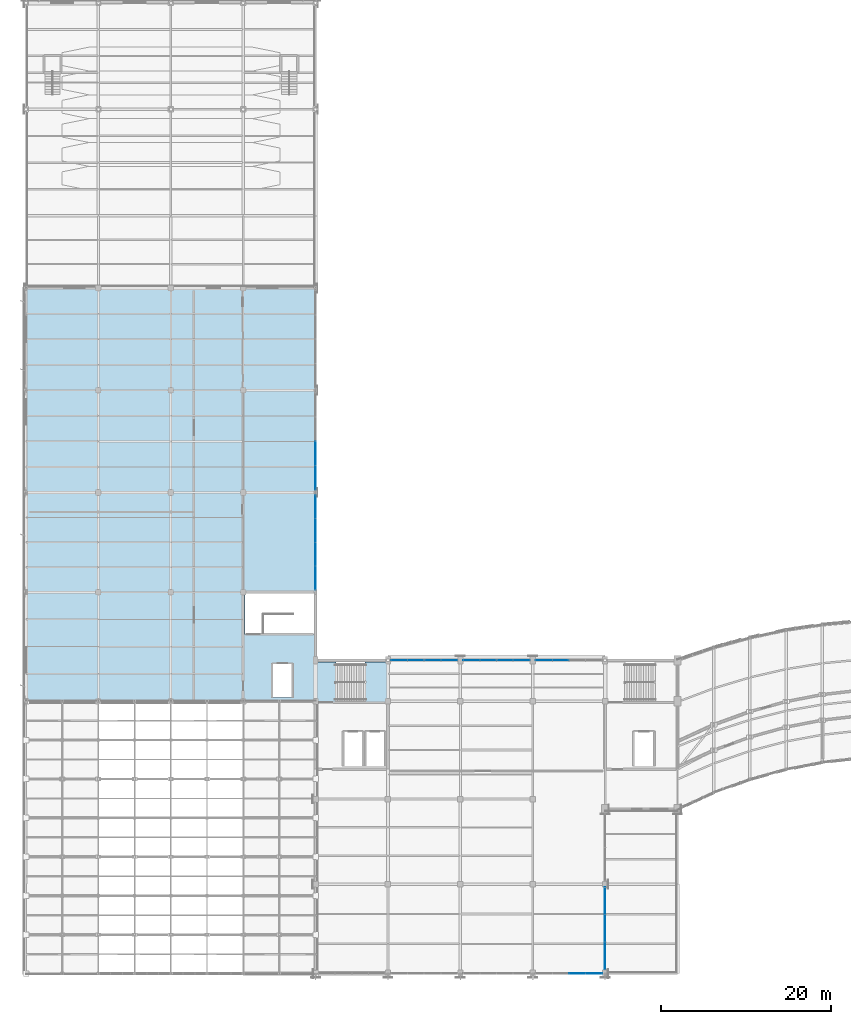
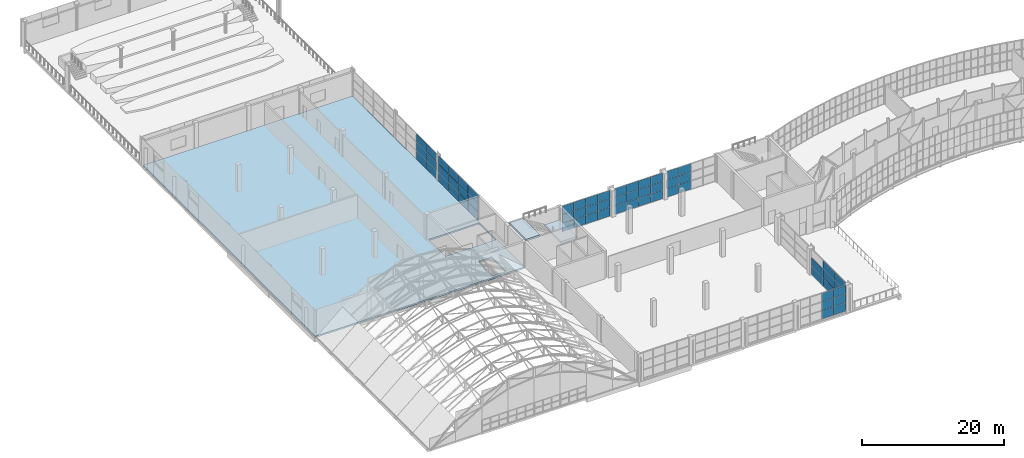
# One storey, part 56 of 86: 62 plates, 3 slabs, 8 elements without a shape of their own.
"""IFC4 building model written with IfcOpenShell, lengths in metres."""

from ifc_helpers import new_model, si_unit, direction, frame, origin, origin_2d, place, context, subcontext, project, spatial, polyline, rectangle, outline, extrude, material, layer, layer_set, type_object, element, aggregate, save


model = new_model("IFC4")

# Units and contexts
model_context = context("Model", 3, precision=1e-05, world=origin(), true_north=direction((0.0, 1.0)))
body_context = subcontext(model_context, "Body", "Model", "MODEL_VIEW")
ifc_project = project(units=[si_unit("LENGTHUNIT", "METRE"), si_unit("AREAUNIT", "SQUARE_METRE"), si_unit("VOLUMEUNIT", "CUBIC_METRE"), si_unit("PLANEANGLEUNIT", "RADIAN"), si_unit("MASSUNIT", "GRAM", prefix="KILO")], contexts=[model_context])

# Site, building, storey
site_placement = place(None, origin())
site = spatial("IfcSite", under=ifc_project, at=site_placement, CompositionType="ELEMENT")
building_placement = place(site_placement, origin())
building = spatial("IfcBuilding", under=site, at=building_placement, Name="Solvikara Media Centre", CompositionType="ELEMENT")
storey_placement = place(building_placement, frame((0.0, 0.0, 15.0)))
storey = spatial("IfcBuildingStorey", under=building, at=storey_placement, Name="L03", CompositionType="ELEMENT", Elevation=15.0)

# Curtain wall, plates
ifc_material_1 = material(Name="Anodised aluminium EN AW-6063", Category="aluminium")
curtain_wall_type_1 = type_object("IfcCurtainWallType", Name="CW-04", PredefinedType="NOTDEFINED", material=ifc_material_1)
curtain_wall_1_placement = place(storey_placement, origin())
curtain_wall_1 = element("IfcCurtainWall", 1, at=curtain_wall_1_placement, inside=storey, type_object=curtain_wall_type_1, Name="CW-L03-V6S-4", PredefinedType="NOTDEFINED")
ifc_material_2 = material(Name="Ceramic-fritted teal low-E glass", Category="glass")
ifc_layer_1 = layer(ifc_material_2, 0.0380859375)
ifc_layer_set_1 = layer_set([ifc_layer_1], Name="Ceramic-fritted teal low-E glass")
plate_type_1 = type_object("IfcPlateType", Name="PN-08", PredefinedType="CURTAIN_PANEL", material=ifc_layer_set_1)
plate_1_placement = place(storey_placement, frame((64.72705078125, 0.0, 0.034423828125), z_axis=(0.0, 0.0, 1.0), x_axis=(1.0, 0.0, 0.0)))
plate_1 = element("IfcPlate", 2, at=plate_1_placement, type_object=plate_type_1, Name="CW-L03-V6S-4-P0200", PredefinedType="CURTAIN_PANEL", context=body_context, shape_type="SweptSolid", body=[
    extrude(rectangle(XDim=1.925048828125, YDim=0.0380859375, at=origin_2d()), origin(), (0.0, 0.0, 1.0), 1.45703125),
])
plate_2_placement = place(storey_placement, frame((64.72705078125, 0.0, 3.008544921875), z_axis=(0.0, 0.0, 1.0), x_axis=(1.0, 0.0, 0.0)))
plate_2 = element("IfcPlate", 3, at=plate_2_placement, type_object=plate_type_1, Name="CW-L03-V6S-4-P0202", PredefinedType="CURTAIN_PANEL", context=body_context, shape_type="SweptSolid", body=[
    extrude(rectangle(XDim=1.925048828125, YDim=0.0380859375, at=origin_2d()), origin(), (0.0, 0.0, 1.0), 1.45703125),
])
plate_3_placement = place(storey_placement, frame((66.681884765625, 0.0, 1.521484375), z_axis=(0.0, 0.0, 1.0), x_axis=(1.0, 0.0, 0.0)))
plate_3 = element("IfcPlate", 4, at=plate_3_placement, type_object=plate_type_1, Name="CW-L03-V6S-4-P0301", PredefinedType="CURTAIN_PANEL", context=body_context, shape_type="SweptSolid", body=[
    extrude(rectangle(XDim=1.925048828125, YDim=0.0380859375, at=origin_2d()), origin(), (0.0, 0.0, 1.0), 1.45703125),
])

curtain_wall_type_2 = type_object("IfcCurtainWallType", Name="CW-16", PredefinedType="NOTDEFINED", material=ifc_material_1)
curtain_wall_2_placement = place(storey_placement, origin())
curtain_wall_2 = element("IfcCurtainWall", 5, at=curtain_wall_2_placement, inside=storey, type_object=curtain_wall_type_2, Name="CW-L03-V6E-S1", PredefinedType="NOTDEFINED")
plate_4_placement = place(storey_placement, frame((68.0, 2.096923828125, 0.034423828125), z_axis=(0.0, 0.0, 1.0), x_axis=(0.0, 1.0, 0.0)))
plate_4 = element("IfcPlate", 6, at=plate_4_placement, type_object=plate_type_1, Name="CW-L03-V6E-S1-P0000", PredefinedType="CURTAIN_PANEL", context=body_context, shape_type="SweptSolid", body=[
    extrude(rectangle(XDim=3.18505859375, YDim=0.0380859375, at=origin_2d()), origin(), (0.0, 0.0, 1.0), 1.45703125),
])
plate_5_placement = place(storey_placement, frame((68.0, 2.096923828125, 3.008544921875), z_axis=(0.0, 0.0, 1.0), x_axis=(0.0, 1.0, 0.0)))
plate_5 = element("IfcPlate", 7, at=plate_5_placement, type_object=plate_type_1, Name="CW-L03-V6E-S1-P0002", PredefinedType="CURTAIN_PANEL", context=body_context, shape_type="SweptSolid", body=[
    extrude(rectangle(XDim=3.18505859375, YDim=0.0380859375, at=origin_2d()), origin(), (0.0, 0.0, 1.0), 1.45703125),
])
plate_6_placement = place(storey_placement, frame((68.0, 5.31201171875, 1.521484375), z_axis=(0.0, 0.0, 1.0), x_axis=(0.0, 1.0, 0.0)))
plate_6 = element("IfcPlate", 8, at=plate_6_placement, type_object=plate_type_1, Name="CW-L03-V6E-S1-P0101", PredefinedType="CURTAIN_PANEL", context=body_context, shape_type="SweptSolid", body=[
    extrude(rectangle(XDim=3.18505859375, YDim=0.0380859375, at=origin_2d()), origin(), (0.0, 0.0, 1.0), 1.45703125),
])
plate_7_placement = place(storey_placement, frame((68.0, 8.527099609375, 0.034423828125), z_axis=(0.0, 0.0, 1.0), x_axis=(0.0, 1.0, 0.0)))
plate_7 = element("IfcPlate", 9, at=plate_7_placement, type_object=plate_type_1, Name="CW-L03-V6E-S1-P0200", PredefinedType="CURTAIN_PANEL", context=body_context, shape_type="SweptSolid", body=[
    extrude(rectangle(XDim=3.18505859375, YDim=0.0380859375, at=origin_2d()), origin(), (0.0, 0.0, 1.0), 1.45703125),
])

curtain_wall_type_3 = type_object("IfcCurtainWallType", Name="CW-05", PredefinedType="NOTDEFINED", material=ifc_material_1)
curtain_wall_3_placement = place(storey_placement, origin())
curtain_wall_3 = element("IfcCurtainWall", 10, at=curtain_wall_3_placement, inside=storey, type_object=curtain_wall_type_3, Name="CW-L03-V6N-1", PredefinedType="NOTDEFINED")
plate_8_placement = place(storey_placement, frame((43.81689453125, 36.800048828125, 0.034423828125), z_axis=(0.0, 0.0, 1.0), x_axis=(1.0, 0.0, 0.0)))
plate_8 = element("IfcPlate", 11, at=plate_8_placement, type_object=plate_type_1, Name="CW-L03-V6N-1-P0000", PredefinedType="CURTAIN_PANEL", context=body_context, shape_type="SweptSolid", body=[
    extrude(rectangle(XDim=1.925048828125, YDim=0.0380859375, at=origin_2d()), origin(), (0.0, 0.0, 1.0), 1.45703125),
])
plate_9_placement = place(storey_placement, frame((43.81689453125, 36.800048828125, 3.008544921875), z_axis=(0.0, 0.0, 1.0), x_axis=(1.0, 0.0, 0.0)))
plate_9 = element("IfcPlate", 12, at=plate_9_placement, type_object=plate_type_1, Name="CW-L03-V6N-1-P0002", PredefinedType="CURTAIN_PANEL", context=body_context, shape_type="SweptSolid", body=[
    extrude(rectangle(XDim=1.925048828125, YDim=0.0380859375, at=origin_2d()), origin(), (0.0, 0.0, 1.0), 1.45703125),
])
plate_10_placement = place(storey_placement, frame((45.77197265625, 36.800048828125, 1.521484375), z_axis=(0.0, 0.0, 1.0), x_axis=(1.0, 0.0, 0.0)))
plate_10 = element("IfcPlate", 13, at=plate_10_placement, type_object=plate_type_1, Name="CW-L03-V6N-1-P0101", PredefinedType="CURTAIN_PANEL", context=body_context, shape_type="SweptSolid", body=[
    extrude(rectangle(XDim=1.925048828125, YDim=0.0380859375, at=origin_2d()), origin(), (0.0, 0.0, 1.0), 1.45703125),
])
plate_11_placement = place(storey_placement, frame((47.72705078125, 36.800048828125, 0.034423828125), z_axis=(0.0, 0.0, 1.0), x_axis=(1.0, 0.0, 0.0)))
plate_11 = element("IfcPlate", 14, at=plate_11_placement, type_object=plate_type_1, Name="CW-L03-V6N-1-P0200", PredefinedType="CURTAIN_PANEL", context=body_context, shape_type="SweptSolid", body=[
    extrude(rectangle(XDim=1.925048828125, YDim=0.0380859375, at=origin_2d()), origin(), (0.0, 0.0, 1.0), 1.45703125),
])
plate_12_placement = place(storey_placement, frame((47.72705078125, 36.800048828125, 3.008544921875), z_axis=(0.0, 0.0, 1.0), x_axis=(1.0, 0.0, 0.0)))
plate_12 = element("IfcPlate", 15, at=plate_12_placement, type_object=plate_type_1, Name="CW-L03-V6N-1-P0202", PredefinedType="CURTAIN_PANEL", context=body_context, shape_type="SweptSolid", body=[
    extrude(rectangle(XDim=1.925048828125, YDim=0.0380859375, at=origin_2d()), origin(), (0.0, 0.0, 1.0), 1.45703125),
])
plate_13_placement = place(storey_placement, frame((49.681884765625, 36.800048828125, 1.521484375), z_axis=(0.0, 0.0, 1.0), x_axis=(1.0, 0.0, 0.0)))
plate_13 = element("IfcPlate", 16, at=plate_13_placement, type_object=plate_type_1, Name="CW-L03-V6N-1-P0301", PredefinedType="CURTAIN_PANEL", context=body_context, shape_type="SweptSolid", body=[
    extrude(rectangle(XDim=1.925048828125, YDim=0.0380859375, at=origin_2d()), origin(), (0.0, 0.0, 1.0), 1.45703125),
])

curtain_wall_4_placement = place(storey_placement, origin())
curtain_wall_4 = element("IfcCurtainWall", 17, at=curtain_wall_4_placement, inside=storey, type_object=curtain_wall_type_3, Name="CW-L03-V6N-2", PredefinedType="NOTDEFINED")
plate_14_placement = place(storey_placement, frame((52.31689453125, 36.800048828125, 0.034423828125), z_axis=(0.0, 0.0, 1.0), x_axis=(1.0, 0.0, 0.0)))
plate_14 = element("IfcPlate", 18, at=plate_14_placement, type_object=plate_type_1, Name="CW-L03-V6N-2-P0000", PredefinedType="CURTAIN_PANEL", context=body_context, shape_type="SweptSolid", body=[
    extrude(rectangle(XDim=1.925048828125, YDim=0.0380859375, at=origin_2d()), origin(), (0.0, 0.0, 1.0), 1.45703125),
])
plate_15_placement = place(storey_placement, frame((52.31689453125, 36.800048828125, 3.008544921875), z_axis=(0.0, 0.0, 1.0), x_axis=(1.0, 0.0, 0.0)))
plate_15 = element("IfcPlate", 19, at=plate_15_placement, type_object=plate_type_1, Name="CW-L03-V6N-2-P0002", PredefinedType="CURTAIN_PANEL", context=body_context, shape_type="SweptSolid", body=[
    extrude(rectangle(XDim=1.925048828125, YDim=0.0380859375, at=origin_2d()), origin(), (0.0, 0.0, 1.0), 1.45703125),
])
plate_16_placement = place(storey_placement, frame((54.27197265625, 36.800048828125, 1.521484375), z_axis=(0.0, 0.0, 1.0), x_axis=(1.0, 0.0, 0.0)))
plate_16 = element("IfcPlate", 20, at=plate_16_placement, type_object=plate_type_1, Name="CW-L03-V6N-2-P0101", PredefinedType="CURTAIN_PANEL", context=body_context, shape_type="SweptSolid", body=[
    extrude(rectangle(XDim=1.925048828125, YDim=0.0380859375, at=origin_2d()), origin(), (0.0, 0.0, 1.0), 1.45703125),
])
plate_17_placement = place(storey_placement, frame((56.22705078125, 36.800048828125, 0.034423828125), z_axis=(0.0, 0.0, 1.0), x_axis=(1.0, 0.0, 0.0)))
plate_17 = element("IfcPlate", 21, at=plate_17_placement, type_object=plate_type_1, Name="CW-L03-V6N-2-P0200", PredefinedType="CURTAIN_PANEL", context=body_context, shape_type="SweptSolid", body=[
    extrude(rectangle(XDim=1.925048828125, YDim=0.0380859375, at=origin_2d()), origin(), (0.0, 0.0, 1.0), 1.45703125),
])
plate_18_placement = place(storey_placement, frame((56.22705078125, 36.800048828125, 3.008544921875), z_axis=(0.0, 0.0, 1.0), x_axis=(1.0, 0.0, 0.0)))
plate_18 = element("IfcPlate", 22, at=plate_18_placement, type_object=plate_type_1, Name="CW-L03-V6N-2-P0202", PredefinedType="CURTAIN_PANEL", context=body_context, shape_type="SweptSolid", body=[
    extrude(rectangle(XDim=1.925048828125, YDim=0.0380859375, at=origin_2d()), origin(), (0.0, 0.0, 1.0), 1.45703125),
])
plate_19_placement = place(storey_placement, frame((58.181884765625, 36.800048828125, 1.521484375), z_axis=(0.0, 0.0, 1.0), x_axis=(1.0, 0.0, 0.0)))
plate_19 = element("IfcPlate", 23, at=plate_19_placement, type_object=plate_type_1, Name="CW-L03-V6N-2-P0301", PredefinedType="CURTAIN_PANEL", context=body_context, shape_type="SweptSolid", body=[
    extrude(rectangle(XDim=1.925048828125, YDim=0.0380859375, at=origin_2d()), origin(), (0.0, 0.0, 1.0), 1.45703125),
])

curtain_wall_5_placement = place(storey_placement, origin())
curtain_wall_5 = element("IfcCurtainWall", 24, at=curtain_wall_5_placement, inside=storey, type_object=curtain_wall_type_3, Name="CW-L03-V6N-3", PredefinedType="NOTDEFINED")
plate_20_placement = place(storey_placement, frame((60.81689453125, 36.800048828125, 0.034423828125), z_axis=(0.0, 0.0, 1.0), x_axis=(1.0, 0.0, 0.0)))
plate_20 = element("IfcPlate", 25, at=plate_20_placement, type_object=plate_type_1, Name="CW-L03-V6N-3-P0000", PredefinedType="CURTAIN_PANEL", context=body_context, shape_type="SweptSolid", body=[
    extrude(rectangle(XDim=1.925048828125, YDim=0.0380859375, at=origin_2d()), origin(), (0.0, 0.0, 1.0), 1.45703125),
])
plate_21_placement = place(storey_placement, frame((60.81689453125, 36.800048828125, 3.008544921875), z_axis=(0.0, 0.0, 1.0), x_axis=(1.0, 0.0, 0.0)))
plate_21 = element("IfcPlate", 26, at=plate_21_placement, type_object=plate_type_1, Name="CW-L03-V6N-3-P0002", PredefinedType="CURTAIN_PANEL", context=body_context, shape_type="SweptSolid", body=[
    extrude(rectangle(XDim=1.925048828125, YDim=0.0380859375, at=origin_2d()), origin(), (0.0, 0.0, 1.0), 1.45703125),
])
plate_22_placement = place(storey_placement, frame((62.77197265625, 36.800048828125, 1.521484375), z_axis=(0.0, 0.0, 1.0), x_axis=(1.0, 0.0, 0.0)))
plate_22 = element("IfcPlate", 27, at=plate_22_placement, type_object=plate_type_1, Name="CW-L03-V6N-3-P0101", PredefinedType="CURTAIN_PANEL", context=body_context, shape_type="SweptSolid", body=[
    extrude(rectangle(XDim=1.925048828125, YDim=0.0380859375, at=origin_2d()), origin(), (0.0, 0.0, 1.0), 1.45703125),
])

# Plate
ifc_material_3 = material(Name="Insulated silver-pearl glass spandrel panel", Category="glass")
ifc_layer_2 = layer(ifc_material_3, 0.054931640625)
ifc_layer_set_2 = layer_set([ifc_layer_2], Name="Insulated silver-pearl glass spandrel panel")
plate_type_2 = type_object("IfcPlateType", Name="PN-09", PredefinedType="CURTAIN_PANEL", material=ifc_layer_set_2)
plate_23_placement = place(storey_placement, frame((64.72705078125, 0.0, 1.521484375), z_axis=(0.0, 0.0, 1.0), x_axis=(1.0, 0.0, 0.0)))
plate_23 = element("IfcPlate", 28, at=plate_23_placement, type_object=plate_type_2, Name="CW-L03-V6S-4-P0201", PredefinedType="CURTAIN_PANEL", context=body_context, shape_type="SweptSolid", body=[
    extrude(rectangle(XDim=1.925048828125, YDim=0.054931640625, at=origin_2d()), origin(), (0.0, 0.0, 1.0), 1.45703125),
])

plate_24_placement = place(storey_placement, frame((66.681884765625, 0.0, 0.034423828125), z_axis=(0.0, 0.0, 1.0), x_axis=(1.0, 0.0, 0.0)))
plate_24 = element("IfcPlate", 29, at=plate_24_placement, type_object=plate_type_2, Name="CW-L03-V6S-4-P0300", PredefinedType="CURTAIN_PANEL", context=body_context, shape_type="SweptSolid", body=[
    extrude(rectangle(XDim=1.925048828125, YDim=0.054931640625, at=origin_2d()), origin(), (0.0, 0.0, 1.0), 1.45703125),
])

plate_25_placement = place(storey_placement, frame((66.681884765625, 0.0, 3.008544921875), z_axis=(0.0, 0.0, 1.0), x_axis=(1.0, 0.0, 0.0)))
plate_25 = element("IfcPlate", 30, at=plate_25_placement, type_object=plate_type_2, Name="CW-L03-V6S-4-P0302", PredefinedType="CURTAIN_PANEL", context=body_context, shape_type="SweptSolid", body=[
    extrude(rectangle(XDim=1.925048828125, YDim=0.054931640625, at=origin_2d()), origin(), (0.0, 0.0, 1.0), 1.45703125),
])

aggregate(curtain_wall_1, [plate_1, plate_23, plate_2, plate_24, plate_3, plate_25])

plate_26_placement = place(storey_placement, frame((68.0, 2.096923828125, 1.521484375), z_axis=(0.0, 0.0, 1.0), x_axis=(0.0, 1.0, 0.0)))
plate_26 = element("IfcPlate", 31, at=plate_26_placement, type_object=plate_type_2, Name="CW-L03-V6E-S1-P0001", PredefinedType="CURTAIN_PANEL", context=body_context, shape_type="SweptSolid", body=[
    extrude(rectangle(XDim=3.18505859375, YDim=0.054931640625, at=origin_2d()), origin(), (0.0, 0.0, 1.0), 1.45703125),
])

plate_27_placement = place(storey_placement, frame((68.0, 5.31201171875, 0.034423828125), z_axis=(0.0, 0.0, 1.0), x_axis=(0.0, 1.0, 0.0)))
plate_27 = element("IfcPlate", 32, at=plate_27_placement, type_object=plate_type_2, Name="CW-L03-V6E-S1-P0100", PredefinedType="CURTAIN_PANEL", context=body_context, shape_type="SweptSolid", body=[
    extrude(rectangle(XDim=3.18505859375, YDim=0.054931640625, at=origin_2d()), origin(), (0.0, 0.0, 1.0), 1.45703125),
])

plate_28_placement = place(storey_placement, frame((68.0, 5.31201171875, 3.008544921875), z_axis=(0.0, 0.0, 1.0), x_axis=(0.0, 1.0, 0.0)))
plate_28 = element("IfcPlate", 33, at=plate_28_placement, type_object=plate_type_2, Name="CW-L03-V6E-S1-P0102", PredefinedType="CURTAIN_PANEL", context=body_context, shape_type="SweptSolid", body=[
    extrude(rectangle(XDim=3.18505859375, YDim=0.054931640625, at=origin_2d()), origin(), (0.0, 0.0, 1.0), 1.45703125),
])

plate_29_placement = place(storey_placement, frame((68.0, 8.527099609375, 1.521484375), z_axis=(0.0, 0.0, 1.0), x_axis=(0.0, 1.0, 0.0)))
plate_29 = element("IfcPlate", 34, at=plate_29_placement, type_object=plate_type_2, Name="CW-L03-V6E-S1-P0201", PredefinedType="CURTAIN_PANEL", context=body_context, shape_type="SweptSolid", body=[
    extrude(rectangle(XDim=3.18505859375, YDim=0.054931640625, at=origin_2d()), origin(), (0.0, 0.0, 1.0), 1.45703125),
])

aggregate(curtain_wall_2, [plate_4, plate_26, plate_5, plate_27, plate_6, plate_28, plate_7, plate_29])

plate_30_placement = place(storey_placement, frame((43.81689453125, 36.800048828125, 1.521484375), z_axis=(0.0, 0.0, 1.0), x_axis=(1.0, 0.0, 0.0)))
plate_30 = element("IfcPlate", 35, at=plate_30_placement, type_object=plate_type_2, Name="CW-L03-V6N-1-P0001", PredefinedType="CURTAIN_PANEL", context=body_context, shape_type="SweptSolid", body=[
    extrude(rectangle(XDim=1.925048828125, YDim=0.054931640625, at=origin_2d()), origin(), (0.0, 0.0, 1.0), 1.45703125),
])

plate_31_placement = place(storey_placement, frame((45.77197265625, 36.800048828125, 0.034423828125), z_axis=(0.0, 0.0, 1.0), x_axis=(1.0, 0.0, 0.0)))
plate_31 = element("IfcPlate", 36, at=plate_31_placement, type_object=plate_type_2, Name="CW-L03-V6N-1-P0100", PredefinedType="CURTAIN_PANEL", context=body_context, shape_type="SweptSolid", body=[
    extrude(rectangle(XDim=1.925048828125, YDim=0.054931640625, at=origin_2d()), origin(), (0.0, 0.0, 1.0), 1.45703125),
])

plate_32_placement = place(storey_placement, frame((45.77197265625, 36.800048828125, 3.008544921875), z_axis=(0.0, 0.0, 1.0), x_axis=(1.0, 0.0, 0.0)))
plate_32 = element("IfcPlate", 37, at=plate_32_placement, type_object=plate_type_2, Name="CW-L03-V6N-1-P0102", PredefinedType="CURTAIN_PANEL", context=body_context, shape_type="SweptSolid", body=[
    extrude(rectangle(XDim=1.925048828125, YDim=0.054931640625, at=origin_2d()), origin(), (0.0, 0.0, 1.0), 1.45703125),
])

plate_33_placement = place(storey_placement, frame((47.72705078125, 36.800048828125, 1.521484375), z_axis=(0.0, 0.0, 1.0), x_axis=(1.0, 0.0, 0.0)))
plate_33 = element("IfcPlate", 38, at=plate_33_placement, type_object=plate_type_2, Name="CW-L03-V6N-1-P0201", PredefinedType="CURTAIN_PANEL", context=body_context, shape_type="SweptSolid", body=[
    extrude(rectangle(XDim=1.925048828125, YDim=0.054931640625, at=origin_2d()), origin(), (0.0, 0.0, 1.0), 1.45703125),
])

plate_34_placement = place(storey_placement, frame((49.681884765625, 36.800048828125, 0.034423828125), z_axis=(0.0, 0.0, 1.0), x_axis=(1.0, 0.0, 0.0)))
plate_34 = element("IfcPlate", 39, at=plate_34_placement, type_object=plate_type_2, Name="CW-L03-V6N-1-P0300", PredefinedType="CURTAIN_PANEL", context=body_context, shape_type="SweptSolid", body=[
    extrude(rectangle(XDim=1.925048828125, YDim=0.054931640625, at=origin_2d()), origin(), (0.0, 0.0, 1.0), 1.45703125),
])

plate_35_placement = place(storey_placement, frame((49.681884765625, 36.800048828125, 3.008544921875), z_axis=(0.0, 0.0, 1.0), x_axis=(1.0, 0.0, 0.0)))
plate_35 = element("IfcPlate", 40, at=plate_35_placement, type_object=plate_type_2, Name="CW-L03-V6N-1-P0302", PredefinedType="CURTAIN_PANEL", context=body_context, shape_type="SweptSolid", body=[
    extrude(rectangle(XDim=1.925048828125, YDim=0.054931640625, at=origin_2d()), origin(), (0.0, 0.0, 1.0), 1.45703125),
])

aggregate(curtain_wall_3, [plate_8, plate_30, plate_9, plate_31, plate_10, plate_32, plate_11, plate_33, plate_12, plate_34, plate_13, plate_35])

plate_36_placement = place(storey_placement, frame((52.31689453125, 36.800048828125, 1.521484375), z_axis=(0.0, 0.0, 1.0), x_axis=(1.0, 0.0, 0.0)))
plate_36 = element("IfcPlate", 41, at=plate_36_placement, type_object=plate_type_2, Name="CW-L03-V6N-2-P0001", PredefinedType="CURTAIN_PANEL", context=body_context, shape_type="SweptSolid", body=[
    extrude(rectangle(XDim=1.925048828125, YDim=0.054931640625, at=origin_2d()), origin(), (0.0, 0.0, 1.0), 1.45703125),
])

plate_37_placement = place(storey_placement, frame((54.27197265625, 36.800048828125, 0.034423828125), z_axis=(0.0, 0.0, 1.0), x_axis=(1.0, 0.0, 0.0)))
plate_37 = element("IfcPlate", 42, at=plate_37_placement, type_object=plate_type_2, Name="CW-L03-V6N-2-P0100", PredefinedType="CURTAIN_PANEL", context=body_context, shape_type="SweptSolid", body=[
    extrude(rectangle(XDim=1.925048828125, YDim=0.054931640625, at=origin_2d()), origin(), (0.0, 0.0, 1.0), 1.45703125),
])

plate_38_placement = place(storey_placement, frame((54.27197265625, 36.800048828125, 3.008544921875), z_axis=(0.0, 0.0, 1.0), x_axis=(1.0, 0.0, 0.0)))
plate_38 = element("IfcPlate", 43, at=plate_38_placement, type_object=plate_type_2, Name="CW-L03-V6N-2-P0102", PredefinedType="CURTAIN_PANEL", context=body_context, shape_type="SweptSolid", body=[
    extrude(rectangle(XDim=1.925048828125, YDim=0.054931640625, at=origin_2d()), origin(), (0.0, 0.0, 1.0), 1.45703125),
])

plate_39_placement = place(storey_placement, frame((56.22705078125, 36.800048828125, 1.521484375), z_axis=(0.0, 0.0, 1.0), x_axis=(1.0, 0.0, 0.0)))
plate_39 = element("IfcPlate", 44, at=plate_39_placement, type_object=plate_type_2, Name="CW-L03-V6N-2-P0201", PredefinedType="CURTAIN_PANEL", context=body_context, shape_type="SweptSolid", body=[
    extrude(rectangle(XDim=1.925048828125, YDim=0.054931640625, at=origin_2d()), origin(), (0.0, 0.0, 1.0), 1.45703125),
])

plate_40_placement = place(storey_placement, frame((58.181884765625, 36.800048828125, 0.034423828125), z_axis=(0.0, 0.0, 1.0), x_axis=(1.0, 0.0, 0.0)))
plate_40 = element("IfcPlate", 45, at=plate_40_placement, type_object=plate_type_2, Name="CW-L03-V6N-2-P0300", PredefinedType="CURTAIN_PANEL", context=body_context, shape_type="SweptSolid", body=[
    extrude(rectangle(XDim=1.925048828125, YDim=0.054931640625, at=origin_2d()), origin(), (0.0, 0.0, 1.0), 1.45703125),
])

plate_41_placement = place(storey_placement, frame((58.181884765625, 36.800048828125, 3.008544921875), z_axis=(0.0, 0.0, 1.0), x_axis=(1.0, 0.0, 0.0)))
plate_41 = element("IfcPlate", 46, at=plate_41_placement, type_object=plate_type_2, Name="CW-L03-V6N-2-P0302", PredefinedType="CURTAIN_PANEL", context=body_context, shape_type="SweptSolid", body=[
    extrude(rectangle(XDim=1.925048828125, YDim=0.054931640625, at=origin_2d()), origin(), (0.0, 0.0, 1.0), 1.45703125),
])

aggregate(curtain_wall_4, [plate_14, plate_36, plate_15, plate_37, plate_16, plate_38, plate_17, plate_39, plate_18, plate_40, plate_19, plate_41])

plate_42_placement = place(storey_placement, frame((60.81689453125, 36.800048828125, 1.521484375), z_axis=(0.0, 0.0, 1.0), x_axis=(1.0, 0.0, 0.0)))
plate_42 = element("IfcPlate", 47, at=plate_42_placement, type_object=plate_type_2, Name="CW-L03-V6N-3-P0001", PredefinedType="CURTAIN_PANEL", context=body_context, shape_type="SweptSolid", body=[
    extrude(rectangle(XDim=1.925048828125, YDim=0.054931640625, at=origin_2d()), origin(), (0.0, 0.0, 1.0), 1.45703125),
])

plate_43_placement = place(storey_placement, frame((62.77197265625, 36.800048828125, 0.034423828125), z_axis=(0.0, 0.0, 1.0), x_axis=(1.0, 0.0, 0.0)))
plate_43 = element("IfcPlate", 48, at=plate_43_placement, type_object=plate_type_2, Name="CW-L03-V6N-3-P0100", PredefinedType="CURTAIN_PANEL", context=body_context, shape_type="SweptSolid", body=[
    extrude(rectangle(XDim=1.925048828125, YDim=0.054931640625, at=origin_2d()), origin(), (0.0, 0.0, 1.0), 1.45703125),
])

plate_44_placement = place(storey_placement, frame((62.77197265625, 36.800048828125, 3.008544921875), z_axis=(0.0, 0.0, 1.0), x_axis=(1.0, 0.0, 0.0)))
plate_44 = element("IfcPlate", 49, at=plate_44_placement, type_object=plate_type_2, Name="CW-L03-V6N-3-P0102", PredefinedType="CURTAIN_PANEL", context=body_context, shape_type="SweptSolid", body=[
    extrude(rectangle(XDim=1.925048828125, YDim=0.054931640625, at=origin_2d()), origin(), (0.0, 0.0, 1.0), 1.45703125),
])

aggregate(curtain_wall_5, [plate_20, plate_42, plate_21, plate_43, plate_22, plate_44])

# Curtain wall, plates
curtain_wall_type_4 = type_object("IfcCurtainWallType", Name="CW-07", PredefinedType="NOTDEFINED", material=ifc_material_1)
curtain_wall_6_placement = place(storey_placement, origin())
curtain_wall_6 = element("IfcCurtainWall", 50, at=curtain_wall_6_placement, inside=storey, type_object=curtain_wall_type_4, Name="CW-L03-V4E-S1", PredefinedType="NOTDEFINED")
ifc_material_4 = material(Name="Double-glazed low-E architectural glass", Category="glass")
ifc_layer_3 = layer(ifc_material_4, 0.035888671875)
ifc_layer_set_3 = layer_set([ifc_layer_3], Name="Double-glazed low-E architectural glass")
plate_type_3 = type_object("IfcPlateType", Name="PN-10", PredefinedType="CURTAIN_PANEL", material=ifc_layer_set_3)
plate_45_placement = place(storey_placement, frame((34.0, 46.47998046875, 0.034423828125), z_axis=(0.0, 0.0, 1.0), x_axis=(0.0, 1.0, 0.0)))
plate_45 = element("IfcPlate", 51, at=plate_45_placement, type_object=plate_type_3, Name="CW-L03-V4E-S1-P0000", PredefinedType="CURTAIN_PANEL", context=body_context, shape_type="SweptSolid", body=[
    extrude(rectangle(XDim=2.75, YDim=0.035888671875, at=origin_2d()), origin(), (0.0, 0.0, 1.0), 1.45703125),
])
plate_46_placement = place(storey_placement, frame((34.0, 46.47998046875, 3.008544921875), z_axis=(0.0, 0.0, 1.0), x_axis=(0.0, 1.0, 0.0)))
plate_46 = element("IfcPlate", 52, at=plate_46_placement, type_object=plate_type_3, Name="CW-L03-V4E-S1-P0002", PredefinedType="CURTAIN_PANEL", context=body_context, shape_type="SweptSolid", body=[
    extrude(rectangle(XDim=2.75, YDim=0.035888671875, at=origin_2d()), origin(), (0.0, 0.0, 1.0), 1.45703125),
])
plate_47_placement = place(storey_placement, frame((34.0, 49.260009765625, 1.521484375), z_axis=(0.0, 0.0, 1.0), x_axis=(0.0, 1.0, 0.0)))
plate_47 = element("IfcPlate", 53, at=plate_47_placement, type_object=plate_type_3, Name="CW-L03-V4E-S1-P0101", PredefinedType="CURTAIN_PANEL", context=body_context, shape_type="SweptSolid", body=[
    extrude(rectangle(XDim=2.75, YDim=0.035888671875, at=origin_2d()), origin(), (0.0, 0.0, 1.0), 1.45703125),
])
plate_48_placement = place(storey_placement, frame((34.0, 52.0400390625, 0.034423828125), z_axis=(0.0, 0.0, 1.0), x_axis=(0.0, 1.0, 0.0)))
plate_48 = element("IfcPlate", 54, at=plate_48_placement, type_object=plate_type_3, Name="CW-L03-V4E-S1-P0200", PredefinedType="CURTAIN_PANEL", context=body_context, shape_type="SweptSolid", body=[
    extrude(rectangle(XDim=2.75, YDim=0.035888671875, at=origin_2d()), origin(), (0.0, 0.0, 1.0), 1.45703125),
])
plate_49_placement = place(storey_placement, frame((34.0, 52.0400390625, 3.008544921875), z_axis=(0.0, 0.0, 1.0), x_axis=(0.0, 1.0, 0.0)))
plate_49 = element("IfcPlate", 55, at=plate_49_placement, type_object=plate_type_3, Name="CW-L03-V4E-S1-P0202", PredefinedType="CURTAIN_PANEL", context=body_context, shape_type="SweptSolid", body=[
    extrude(rectangle(XDim=2.75, YDim=0.035888671875, at=origin_2d()), origin(), (0.0, 0.0, 1.0), 1.45703125),
])
plate_50_placement = place(storey_placement, frame((34.0, 54.820068359375, 1.521484375), z_axis=(0.0, 0.0, 1.0), x_axis=(0.0, 1.0, 0.0)))
plate_50 = element("IfcPlate", 56, at=plate_50_placement, type_object=plate_type_3, Name="CW-L03-V4E-S1-P0301", PredefinedType="CURTAIN_PANEL", context=body_context, shape_type="SweptSolid", body=[
    extrude(rectangle(XDim=2.75, YDim=0.035888671875, at=origin_2d()), origin(), (0.0, 0.0, 1.0), 1.45703125),
])

curtain_wall_7_placement = place(storey_placement, origin())
curtain_wall_7 = element("IfcCurtainWall", 57, at=curtain_wall_7_placement, inside=storey, type_object=curtain_wall_type_4, Name="CW-L03-V4E-S2", PredefinedType="NOTDEFINED")
plate_51_placement = place(storey_placement, frame((34.0, 58.217041015625, 0.034423828125), z_axis=(0.0, 0.0, 1.0), x_axis=(0.0, 1.0, 0.0)))
plate_51 = element("IfcPlate", 58, at=plate_51_placement, type_object=plate_type_3, Name="CW-L03-V4E-S2-P0000", PredefinedType="CURTAIN_PANEL", context=body_context, shape_type="SweptSolid", body=[
    extrude(rectangle(XDim=2.824951171875, YDim=0.035888671875, at=origin_2d()), origin(), (0.0, 0.0, 1.0), 1.45703125),
])
plate_52_placement = place(storey_placement, frame((34.0, 58.217041015625, 3.008544921875), z_axis=(0.0, 0.0, 1.0), x_axis=(0.0, 1.0, 0.0)))
plate_52 = element("IfcPlate", 59, at=plate_52_placement, type_object=plate_type_3, Name="CW-L03-V4E-S2-P0002", PredefinedType="CURTAIN_PANEL", context=body_context, shape_type="SweptSolid", body=[
    extrude(rectangle(XDim=2.824951171875, YDim=0.035888671875, at=origin_2d()), origin(), (0.0, 0.0, 1.0), 1.45703125),
])
plate_53_placement = place(storey_placement, frame((34.0, 61.072021484375, 1.521484375), z_axis=(0.0, 0.0, 1.0), x_axis=(0.0, 1.0, 0.0)))
plate_53 = element("IfcPlate", 60, at=plate_53_placement, type_object=plate_type_3, Name="CW-L03-V4E-S2-P0101", PredefinedType="CURTAIN_PANEL", context=body_context, shape_type="SweptSolid", body=[
    extrude(rectangle(XDim=2.824951171875, YDim=0.035888671875, at=origin_2d()), origin(), (0.0, 0.0, 1.0), 1.45703125),
])

# Plate
ifc_layer_4 = layer(ifc_material_3, 0.054931640625)
ifc_layer_set_4 = layer_set([ifc_layer_4], Name="Insulated silver-pearl glass spandrel panel")
plate_type_4 = type_object("IfcPlateType", Name="PN-11", PredefinedType="CURTAIN_PANEL", material=ifc_layer_set_4)
plate_54_placement = place(storey_placement, frame((34.0, 46.47998046875, 1.521484375), z_axis=(0.0, 0.0, 1.0), x_axis=(0.0, 1.0, 0.0)))
plate_54 = element("IfcPlate", 61, at=plate_54_placement, type_object=plate_type_4, Name="CW-L03-V4E-S1-P0001", PredefinedType="CURTAIN_PANEL", context=body_context, shape_type="SweptSolid", body=[
    extrude(rectangle(XDim=2.75, YDim=0.054931640625, at=origin_2d()), origin(), (0.0, 0.0, 1.0), 1.45703125),
])

plate_55_placement = place(storey_placement, frame((34.0, 49.260009765625, 0.034423828125), z_axis=(0.0, 0.0, 1.0), x_axis=(0.0, 1.0, 0.0)))
plate_55 = element("IfcPlate", 62, at=plate_55_placement, type_object=plate_type_4, Name="CW-L03-V4E-S1-P0100", PredefinedType="CURTAIN_PANEL", context=body_context, shape_type="SweptSolid", body=[
    extrude(rectangle(XDim=2.75, YDim=0.054931640625, at=origin_2d()), origin(), (0.0, 0.0, 1.0), 1.45703125),
])

plate_56_placement = place(storey_placement, frame((34.0, 49.260009765625, 3.008544921875), z_axis=(0.0, 0.0, 1.0), x_axis=(0.0, 1.0, 0.0)))
plate_56 = element("IfcPlate", 63, at=plate_56_placement, type_object=plate_type_4, Name="CW-L03-V4E-S1-P0102", PredefinedType="CURTAIN_PANEL", context=body_context, shape_type="SweptSolid", body=[
    extrude(rectangle(XDim=2.75, YDim=0.054931640625, at=origin_2d()), origin(), (0.0, 0.0, 1.0), 1.45703125),
])

plate_57_placement = place(storey_placement, frame((34.0, 52.0400390625, 1.521484375), z_axis=(0.0, 0.0, 1.0), x_axis=(0.0, 1.0, 0.0)))
plate_57 = element("IfcPlate", 64, at=plate_57_placement, type_object=plate_type_4, Name="CW-L03-V4E-S1-P0201", PredefinedType="CURTAIN_PANEL", context=body_context, shape_type="SweptSolid", body=[
    extrude(rectangle(XDim=2.75, YDim=0.054931640625, at=origin_2d()), origin(), (0.0, 0.0, 1.0), 1.45703125),
])

plate_58_placement = place(storey_placement, frame((34.0, 54.820068359375, 0.034423828125), z_axis=(0.0, 0.0, 1.0), x_axis=(0.0, 1.0, 0.0)))
plate_58 = element("IfcPlate", 65, at=plate_58_placement, type_object=plate_type_4, Name="CW-L03-V4E-S1-P0300", PredefinedType="CURTAIN_PANEL", context=body_context, shape_type="SweptSolid", body=[
    extrude(rectangle(XDim=2.75, YDim=0.054931640625, at=origin_2d()), origin(), (0.0, 0.0, 1.0), 1.45703125),
])

plate_59_placement = place(storey_placement, frame((34.0, 54.820068359375, 3.008544921875), z_axis=(0.0, 0.0, 1.0), x_axis=(0.0, 1.0, 0.0)))
plate_59 = element("IfcPlate", 66, at=plate_59_placement, type_object=plate_type_4, Name="CW-L03-V4E-S1-P0302", PredefinedType="CURTAIN_PANEL", context=body_context, shape_type="SweptSolid", body=[
    extrude(rectangle(XDim=2.75, YDim=0.054931640625, at=origin_2d()), origin(), (0.0, 0.0, 1.0), 1.45703125),
])

aggregate(curtain_wall_6, [plate_45, plate_54, plate_46, plate_55, plate_47, plate_56, plate_48, plate_57, plate_49, plate_58, plate_50, plate_59])

plate_60_placement = place(storey_placement, frame((34.0, 58.217041015625, 1.521484375), z_axis=(0.0, 0.0, 1.0), x_axis=(0.0, 1.0, 0.0)))
plate_60 = element("IfcPlate", 67, at=plate_60_placement, type_object=plate_type_4, Name="CW-L03-V4E-S2-P0001", PredefinedType="CURTAIN_PANEL", context=body_context, shape_type="SweptSolid", body=[
    extrude(rectangle(XDim=2.824951171875, YDim=0.054931640625, at=origin_2d()), origin(), (0.0, 0.0, 1.0), 1.45703125),
])

plate_61_placement = place(storey_placement, frame((34.0, 61.072021484375, 0.034423828125), z_axis=(0.0, 0.0, 1.0), x_axis=(0.0, 1.0, 0.0)))
plate_61 = element("IfcPlate", 68, at=plate_61_placement, type_object=plate_type_4, Name="CW-L03-V4E-S2-P0100", PredefinedType="CURTAIN_PANEL", context=body_context, shape_type="SweptSolid", body=[
    extrude(rectangle(XDim=2.824951171875, YDim=0.054931640625, at=origin_2d()), origin(), (0.0, 0.0, 1.0), 1.45703125),
])

plate_62_placement = place(storey_placement, frame((34.0, 61.072021484375, 3.008544921875), z_axis=(0.0, 0.0, 1.0), x_axis=(0.0, 1.0, 0.0)))
plate_62 = element("IfcPlate", 69, at=plate_62_placement, type_object=plate_type_4, Name="CW-L03-V4E-S2-P0102", PredefinedType="CURTAIN_PANEL", context=body_context, shape_type="SweptSolid", body=[
    extrude(rectangle(XDim=2.824951171875, YDim=0.054931640625, at=origin_2d()), origin(), (0.0, 0.0, 1.0), 1.45703125),
])

aggregate(curtain_wall_7, [plate_51, plate_60, plate_52, plate_61, plate_53, plate_62])

# Slab
ifc_material_5 = material(Name="Concrete fc' 35 MPa (C35/45)", Category="concrete")
ifc_layer_5 = layer(ifc_material_5, 0.260009765625)
ifc_layer_set_5 = layer_set([ifc_layer_5], Name="Concrete fc' 35 MPa (C35/45)")
slab_type_1 = type_object("IfcSlabType", Name="ST-06", PredefinedType="FLOOR", material=ifc_layer_set_5)
slab_1_placement = place(storey_placement, frame((0.0, 0.0, -0.260009765625)))
element("IfcSlab", 70, at=slab_1_placement, inside=storey, type_object=slab_type_1, Name="SL-L03-V4", PredefinedType="FLOOR", context=body_context, shape_type="SweptSolid", body=[
    extrude(outline(polyline([(0.0, 32.0), (34.0, 32.0), (34.0, 80.5), (0.0, 80.5), (0.0, 32.0)]), holes=[polyline([(25.679931640625, 39.85009765625), (33.820068359375, 39.85009765625), (33.820068359375, 44.6201171875), (25.679931640625, 44.6201171875), (25.679931640625, 39.85009765625)]), polyline([(29.0, 32.39990234375), (31.199951171875, 32.39990234375), (31.199951171875, 36.449951171875), (29.0, 36.449951171875), (29.0, 32.39990234375)])]), origin(), (0.0, 0.0, 1.0), 0.260009765625),
])

# Stair, slabs
stair_type = type_object("IfcStairType", Name="SR-03", PredefinedType="HALF_TURN_STAIR", material=ifc_material_5)
stair_placement = place(storey_placement, origin())
stair = element("IfcStair", 71, at=stair_placement, inside=storey, type_object=stair_type, Name="ST-C2-L03", PredefinedType="HALF_TURN_STAIR")
ifc_layer_6 = layer(ifc_material_5, 0.330078125)
ifc_layer_set_6 = layer_set([ifc_layer_6], Name="Concrete fc' 35 MPa (C35/45)")
slab_type_2 = type_object("IfcSlabType", Name="ST-15", PredefinedType="LANDING", material=ifc_layer_set_6)
slab_2_placement = place(storey_placement, frame((0.0, 0.0, 2.070068359375)))
slab_2 = element("IfcSlab", 72, at=slab_2_placement, type_object=slab_type_2, Name="ST-C2-L03-LND", PredefinedType="LANDING", context=body_context, shape_type="SweptSolid", body=[
    extrude(outline(polyline([(39.800048828125, 31.85009765625), (42.3798828125, 31.85009765625), (42.3798828125, 36.6201171875), (39.800048828125, 36.6201171875), (39.800048828125, 31.85009765625)])), origin(), (0.0, 0.0, 1.0), 0.329833984375),
])
slab_3_placement = place(storey_placement, frame((0.0, 0.0, 4.469970703125)))
slab_3 = element("IfcSlab", 73, at=slab_3_placement, type_object=slab_type_2, Name="ST-C2-L03-ARR", PredefinedType="LANDING", context=body_context, shape_type="SweptSolid", body=[
    extrude(outline(polyline([(34.1201171875, 31.85009765625), (36.39990234375, 31.85009765625), (36.39990234375, 36.6201171875), (34.1201171875, 36.6201171875), (34.1201171875, 31.85009765625)])), origin(), (0.0, 0.0, 1.0), 0.330078125),
])
aggregate(stair, [slab_2, slab_3])

save(model, "model.ifc")
